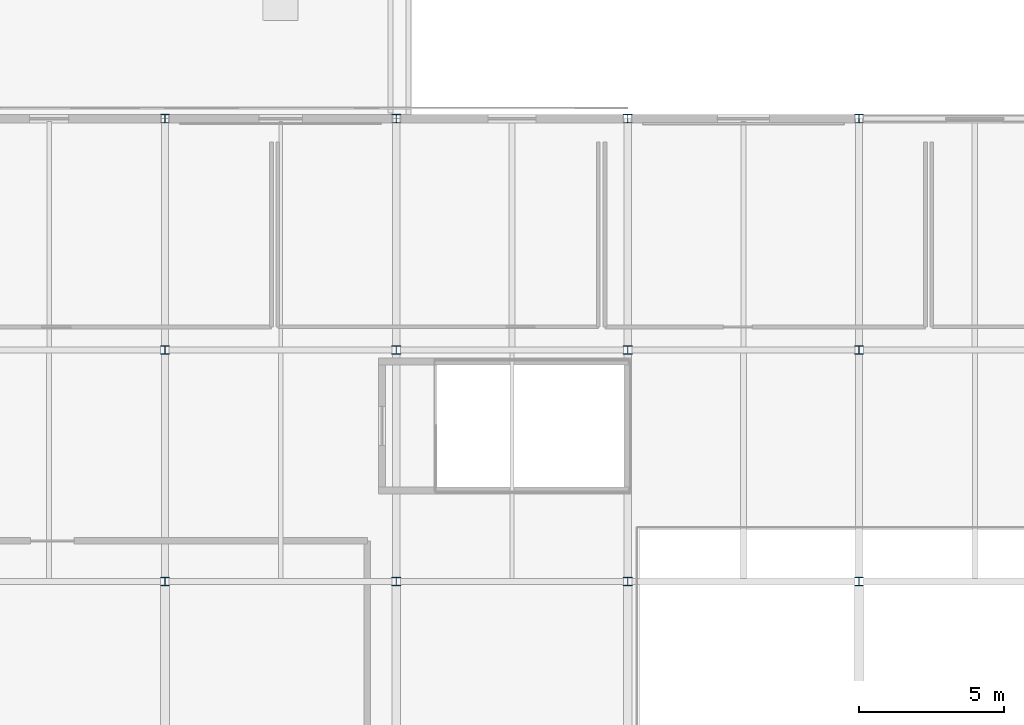
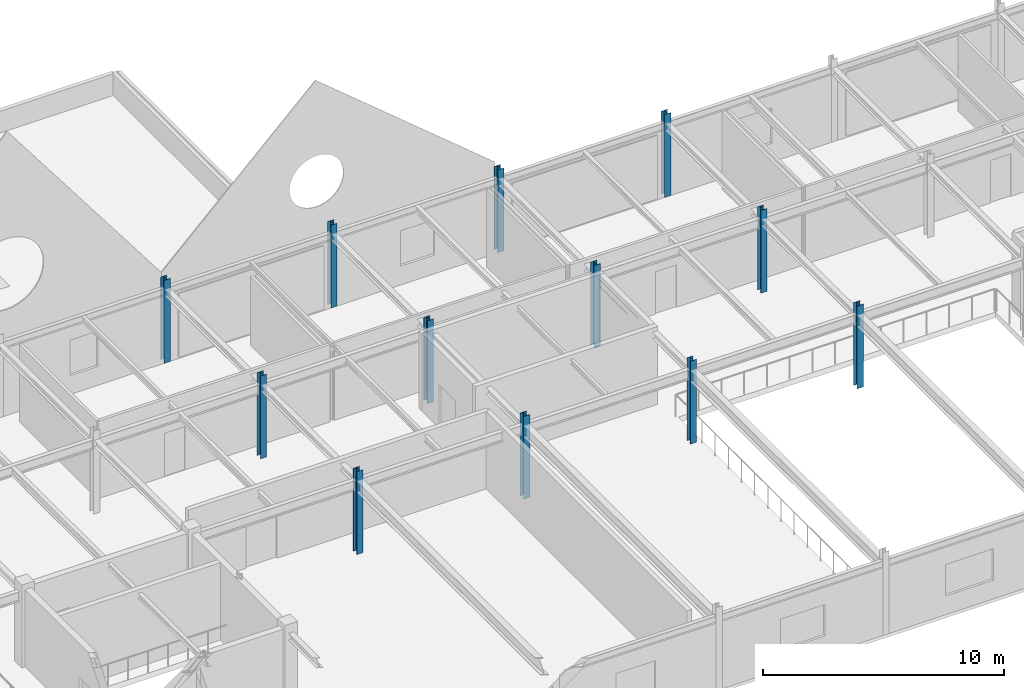
# One storey, part 9 of 88: 12 columns.
"""IFC4 building model written with IfcOpenShell, lengths in metres."""

import ifcopenshell
import ifcopenshell.guid

model = None  # the IFC model being written
_history = None  # IfcOwnerHistory: only IFC2X3 demands one
_inside = {}  # id of a spatial element -> (the spatial element, [elements in it])
_under = {}  # id of a project, library or spatial element -> (it, [spatial elements below it])
_declared = {}  # id of a project -> (the project, [libraries it declares])
_typed = {}  # id of a type object -> (the type object, [elements of that type])
_made_of = {}  # id of a material, layer set ... -> (it, [elements and type objects made of it])


def new_model(schema):
    """Start an empty IFC model of exactly this schema.

    Asked for "IFC4X3", IfcOpenShell would pick the latest addendum, in which some entities
    have other attributes; the version numbers below select the first issue.
    IFC2X3 requires an IfcOwnerHistory on every rooted entity: one is made here for all.
    """
    global model, _history
    if schema == "IFC4X3":
        model = ifcopenshell.file(schema_version=(4, 3, 0, 0))
    else:
        model = ifcopenshell.file(schema=schema)
    _inside.clear()
    _under.clear()
    _declared.clear()
    _typed.clear()
    _made_of.clear()
    _history = None
    if model.schema == "IFC2X3":
        org = make("IfcOrganization", Name="unknown")
        user = make(
            "IfcPersonAndOrganization",
            ThePerson=make("IfcPerson", FamilyName="unknown"),
            TheOrganization=org,
        )
        app = make(
            "IfcApplication",
            ApplicationDeveloper=org,
            Version="unknown",
            ApplicationFullName="unknown",
            ApplicationIdentifier="unknown",
        )
        _history = make(
            "IfcOwnerHistory",
            OwningUser=user,
            OwningApplication=app,
            ChangeAction="ADDED",
            CreationDate=0,
        )
    return model


def make(cls, **values):
    """One entity of the class cls with the attributes given. An attribute that is None is left unset."""
    return model.create_entity(
        cls, **{name: value for name, value in values.items() if value is not None}
    )


def rooted(cls, **values):
    """An entity with a GlobalId (a new one), such as an element, a storey or a relation."""
    return make(cls, GlobalId=ifcopenshell.guid.new(), OwnerHistory=_history, **values)


def si_unit(unit_type, name, prefix=None):
    """IfcSIUnit, for example si_unit("LENGTHUNIT", "METRE", prefix="MILLI")."""
    return make("IfcSIUnit", UnitType=unit_type, Prefix=prefix, Name=name)


def assignment(units):
    """IfcUnitAssignment: the units of a project."""
    return None if units is None else make("IfcUnitAssignment", Units=units)


def point(xyz):
    """IfcCartesianPoint."""
    return None if xyz is None else make("IfcCartesianPoint", Coordinates=xyz)


def direction(xyz):
    """IfcDirection."""
    return None if xyz is None else make("IfcDirection", DirectionRatios=xyz)


def frame(location, z_axis=None, x_axis=None):
    """IfcAxis2Placement3D, a coordinate frame: its origin and axes. An axis left out is left unset."""
    return make(
        "IfcAxis2Placement3D",
        Location=point(location),
        Axis=direction(z_axis),
        RefDirection=direction(x_axis),
    )


def frame_2d(location, x_axis=None):
    """IfcAxis2Placement2D, a coordinate frame in the plane: its origin and x axis."""
    return make(
        "IfcAxis2Placement2D", Location=point(location), RefDirection=direction(x_axis)
    )


def origin():
    """The frame at (0, 0, 0) with its axes left unset."""
    return frame((0.0, 0.0, 0.0))


def origin_2d():
    """The frame at (0, 0) in the plane with its x axis left unset."""
    return frame_2d((0.0, 0.0))


def place(relative_to, where):
    """IfcLocalPlacement: puts the frame where relative to a parent placement (None: the world)."""
    return make(
        "IfcLocalPlacement", PlacementRelTo=relative_to, RelativePlacement=where
    )


def context(
    kind, dimensions, precision=None, world=None, true_north=None, identifier=None
):
    """IfcGeometricRepresentationContext, for example the 3D "Model" context."""
    return make(
        "IfcGeometricRepresentationContext",
        ContextIdentifier=identifier,
        ContextType=kind,
        CoordinateSpaceDimension=dimensions,
        Precision=precision,
        WorldCoordinateSystem=world,
        TrueNorth=true_north,
    )


def subcontext(parent, identifier, kind, view, scale=None):
    """IfcGeometricRepresentationSubContext, for example "Body" below "Model"."""
    return make(
        "IfcGeometricRepresentationSubContext",
        ContextIdentifier=identifier,
        ContextType=kind,
        ParentContext=parent,
        TargetScale=scale,
        TargetView=view,
    )


def project(units=None, contexts=None):
    """IfcProject with its units and contexts."""
    return rooted(
        "IfcProject",
        Name="project",
        RepresentationContexts=contexts,
        UnitsInContext=assignment(units),
    )


def spatial(cls, under=None, at=None, **own):
    """A site, building, storey or space (cls), placed at a placement, below another one or the project."""
    s = rooted(cls, ObjectPlacement=at, **own)
    if under is not None:
        _under.setdefault(under.id(), (under, []))[1].append(s)
    return s


def profile(cls, at=None, kind="AREA", **sizes):
    """A parametric profile (cls). Its sizes go by their IFC names, for example OverallWidth=200.0."""
    return make(cls, ProfileType=kind, Position=at, **sizes)


def i_section(**sizes):
    """IfcIShapeProfileDef."""
    return profile("IfcIShapeProfileDef", **sizes)


def extrude(swept, where, along, depth):
    """IfcExtrudedAreaSolid: the profile swept, set in the frame where, extruded along a direction by depth."""
    return make(
        "IfcExtrudedAreaSolid",
        SweptArea=swept,
        Position=where,
        ExtrudedDirection=direction(along),
        Depth=depth,
    )


def shape(context_of_items, identifier, shape_type, items):
    """IfcShapeRepresentation: the items that make up one representation, for example the "Body"."""
    return make(
        "IfcShapeRepresentation",
        ContextOfItems=context_of_items,
        RepresentationIdentifier=identifier,
        RepresentationType=shape_type,
        Items=items,
    )


def material(Name=None, Category=None):
    """IfcMaterial."""
    return make("IfcMaterial", Name=Name, Category=Category)


def material_profile(
    of_material, cross_section, Name=None, Category=None, Priority=None
):
    """IfcMaterialProfile: a cross section and its material."""
    return make(
        "IfcMaterialProfile",
        Name=Name,
        Material=of_material,
        Profile=cross_section,
        Priority=Priority,
        Category=Category,
    )


def profile_set(profiles, Name=None, composite=None):
    """IfcMaterialProfileSet."""
    return make(
        "IfcMaterialProfileSet",
        Name=Name,
        MaterialProfiles=profiles,
        CompositeProfile=composite,
    )


def made_of(thing, what):
    """Note that an element or type object is made of a material, layer set ...; save() writes the relation."""
    if what is not None:
        _made_of.setdefault(what.id(), (what, []))[1].append(thing)
    return thing


def type_object(cls, material=None, **own):
    """A type object (cls), such as IfcWallType, which elements share."""
    return made_of(rooted(cls, **own), material)


def element(
    cls,
    number,
    at=None,
    inside=None,
    cuts=None,
    type_object=None,
    material=None,
    context=None,
    identifier="Body",
    shape_type=None,
    held_by="IfcProductDefinitionShape",
    body=None,
    shapes=None,
    **own,
):
    """One element of the class cls, such as IfcWall. Its Tag is "e" and its number.

    at: its placement. inside: the storey or other place that contains it. cuts: it is an
    opening in that element (IfcRelVoidsElement). A single representation is given by context,
    identifier, shape_type and body (its items); several are given by shapes. held_by: the class
    of the entity that holds the representations. save() writes the other relations.
    """
    e = rooted(cls, Tag="e%d" % number, ObjectPlacement=at, **own)
    if body is not None:
        shapes = [shape(context, identifier, shape_type, body)]
    if shapes is not None:
        e.Representation = make(held_by, Representations=shapes)
    if inside is not None:
        _inside.setdefault(inside.id(), (inside, []))[1].append(e)
    if cuts is not None:
        rooted(
            "IfcRelVoidsElement", RelatingBuildingElement=cuts, RelatedOpeningElement=e
        )
    if type_object is not None:
        _typed.setdefault(type_object.id(), (type_object, []))[1].append(e)
    return made_of(e, material)


def aggregate(whole, parts):
    """IfcRelAggregates: a whole, such as a stair, and the parts it consists of."""
    return rooted("IfcRelAggregates", RelatingObject=whole, RelatedObjects=parts)


def save(model, path):
    """Write the relations noted so far, then the file.

    IfcRelAggregates (storeys below a building ...), IfcRelContainedInSpatialStructure (elements
    in a storey), IfcRelDefinesByType, IfcRelAssociatesMaterial and IfcRelDeclares: one each for
    every whole, place, type object, material and project.
    """
    for whole, parts in _under.values():
        aggregate(whole, parts)
    for where, things in _inside.values():
        rooted(
            "IfcRelContainedInSpatialStructure",
            RelatedElements=things,
            RelatingStructure=where,
        )
    for kind, things in _typed.values():
        rooted("IfcRelDefinesByType", RelatedObjects=things, RelatingType=kind)
    for what, things in _made_of.values():
        rooted("IfcRelAssociatesMaterial", RelatedObjects=things, RelatingMaterial=what)
    for by, libraries in _declared.values():
        rooted("IfcRelDeclares", RelatingContext=by, RelatedDefinitions=libraries)
    model.write(path)


model = new_model("IFC4")

# Units and contexts
model_context = context("Model", 3, precision=1e-05, world=origin(), true_north=direction((0.0, 1.0)))
body_context = subcontext(model_context, "Body", "Model", "MODEL_VIEW")
ifc_project = project(units=[si_unit("LENGTHUNIT", "METRE"), si_unit("AREAUNIT", "SQUARE_METRE"), si_unit("VOLUMEUNIT", "CUBIC_METRE"), si_unit("PLANEANGLEUNIT", "RADIAN"), si_unit("MASSUNIT", "GRAM", prefix="KILO")], contexts=[model_context])

# Site, building, storey
site_placement = place(None, origin())
site = spatial("IfcSite", under=ifc_project, at=site_placement, CompositionType="ELEMENT")
building_placement = place(site_placement, origin())
building = spatial("IfcBuilding", under=site, at=building_placement, Name="Zhaolan Boulevard Law Courts", CompositionType="ELEMENT")
storey_placement = place(building_placement, frame((0.0, 0.0, 16.199951171875)))
storey = spatial("IfcBuildingStorey", under=building, at=storey_placement, Name="L03", CompositionType="ELEMENT", Elevation=16.199951171875)

# Columns
ifc_material = material(Name="Structural steel Q355B", Category="steel")
ifc_material_profile = material_profile(ifc_material, i_section(OverallWidth=0.300048828125, OverallDepth=0.300048828125, WebThickness=0.010009765625, FlangeThickness=0.014892578125, FilletRadius=0.01806640625, at=origin_2d()), Name="HW300x300")
ifc_profile_set = profile_set([ifc_material_profile], Name="Structural steel Q355B")
column_type = type_object("IfcColumnType", Name="COL HW300", PredefinedType="COLUMN", material=ifc_profile_set)
for number, where, z_axis, x_axis, name in (
    (1, (100.0, 78.0, 0.0), (0.0, 0.0, 1.0), (1.0, 0.0, 0.0), "Column C-13L (L03)"),
    (2, (100.0, 86.0, 0.0), (0.0, 0.0, 1.0), (1.0, 0.0, 0.0), "Column C-13M (L03)"),
    (3, (100.0, 94.0, 0.0), (0.0, 0.0, 1.0), (1.0, 0.0, 0.0), "Column C-13N (L03)"),
    (4, (108.0, 78.0, 0.0), (0.0, 0.0, 1.0), (1.0, 0.0, 0.0), "Column C-14L (L03)"),
    (5, (108.0, 86.0, 0.0), (0.0, 0.0, 1.0), (1.0, 0.0, 0.0), "Column C-14M (L03)"),
    (6, (108.0, 94.0, 0.0), (0.0, 0.0, 1.0), (1.0, 0.0, 0.0), "Column C-14N (L03)"),
    (7, (116.0, 78.0, 0.0), (0.0, 0.0, 1.0), (1.0, 0.0, 0.0), "Column C-15L (L03)"),
    (8, (116.0, 86.0, 0.0), (0.0, 0.0, 1.0), (1.0, 0.0, 0.0), "Column C-15M (L03)"),
    (9, (116.0, 94.0, 0.0), (0.0, 0.0, 1.0), (1.0, 0.0, 0.0), "Column C-15N (L03)"),
    (10, (124.0, 78.0, 0.0), (0.0, 0.0, 1.0), (1.0, 0.0, 0.0), "Column C-16L (L03)"),
    (11, (124.0, 86.0, 0.0), (0.0, 0.0, 1.0), (1.0, 0.0, 0.0), "Column C-16M (L03)"),
    (12, (124.0, 94.0, 0.0), (0.0, 0.0, 1.0), (1.0, 0.0, 0.0), "Column C-16N (L03)"),
):
    element("IfcColumn", number, at=place(storey_placement, frame(where, z_axis=z_axis, x_axis=x_axis)), inside=storey, type_object=column_type, Name=name, PredefinedType="COLUMN", context=body_context, shape_type="SweptSolid", body=[
        extrude(i_section(OverallWidth=0.300048828125, OverallDepth=0.300048828125, WebThickness=0.010009765625, FlangeThickness=0.014892578125, FilletRadius=0.01806640625, at=origin_2d()), origin(), (0.0, 0.0, 1.0), 4.199951171875),
    ])

save(model, "model.ifc")
